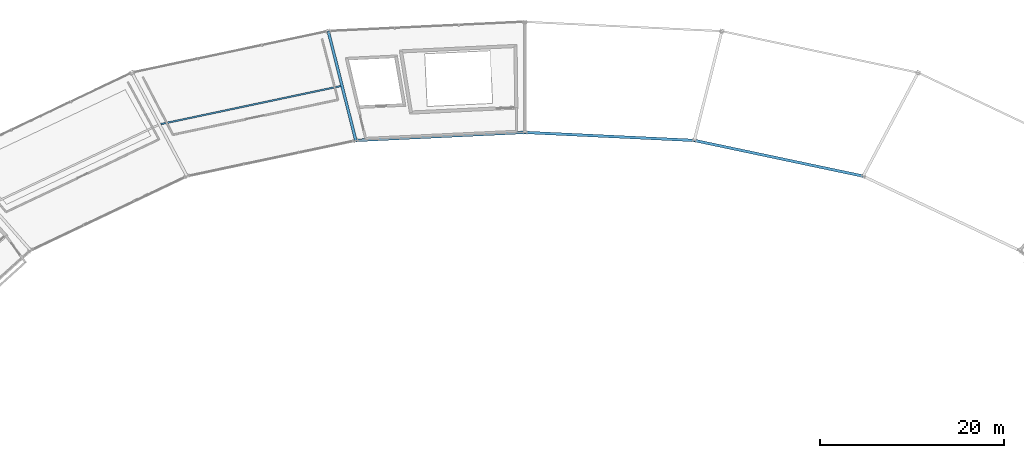
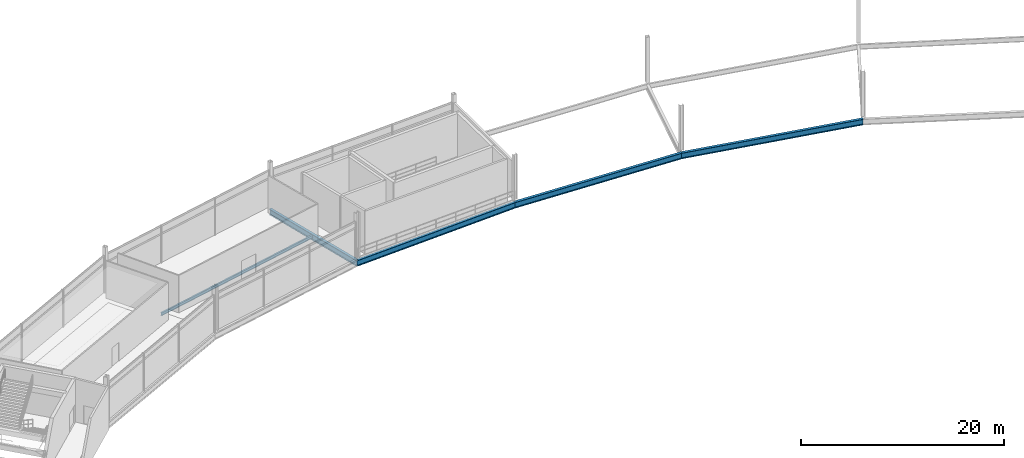
# One storey, part 58 of 86: 5 beams.
"""IFC4 building model written with IfcOpenShell, lengths in metres."""

from ifc_helpers import new_model, si_unit, direction, frame, origin, origin_2d, place, context, subcontext, project, spatial, i_section, extrude, material, material_profile, profile_set, type_object, element, save


model = new_model("IFC4")

# Units and contexts
model_context = context("Model", 3, precision=1e-05, world=origin(), true_north=direction((0.0, 1.0)))
body_context = subcontext(model_context, "Body", "Model", "MODEL_VIEW")
ifc_project = project(units=[si_unit("LENGTHUNIT", "METRE"), si_unit("AREAUNIT", "SQUARE_METRE"), si_unit("VOLUMEUNIT", "CUBIC_METRE"), si_unit("PLANEANGLEUNIT", "RADIAN"), si_unit("MASSUNIT", "GRAM", prefix="KILO")], contexts=[model_context])

# Site, building, storey
site_placement = place(None, origin())
site = spatial("IfcSite", under=ifc_project, at=site_placement, CompositionType="ELEMENT")
building_placement = place(site_placement, origin())
building = spatial("IfcBuilding", under=site, at=building_placement, Name="Kazemori Nagisa Stadium", CompositionType="ELEMENT")
storey_placement = place(building_placement, frame((0.0, 0.0, 31.280029296875)))
storey = spatial("IfcBuildingStorey", under=building, at=storey_placement, Name="L06", CompositionType="ELEMENT", Elevation=31.280029296875)

# Beams
ifc_material = material(Name="Steel SN490B", Category="steel")
ifc_material_profile_1 = material_profile(ifc_material, i_section(OverallWidth=0.300048828125, OverallDepth=0.699951171875, WebThickness=0.012939453125, FlangeThickness=0.02392578125, FilletRadius=0.01806640625, at=origin_2d()), Name="H-700x300x13x24")
ifc_profile_set_1 = profile_set([ifc_material_profile_1], Name="Steel SN490B")
beam_type_1 = type_object("IfcBeamType", Name="Beam_BG-H700", PredefinedType="BEAM", material=ifc_profile_set_1)
beam_1_placement = place(storey_placement, frame((159.81201171875, 171.19921875, -0.610107421875), z_axis=(-0.978345149833, 0.206980114499, 0.0), x_axis=(-0.206980114499, -0.978345149833, 0.0)))
element("IfcBeam", 1, at=beam_1_placement, inside=storey, type_object=beam_type_1, Name="Ring girder BG-H700 L06 R2-06", PredefinedType="BEAM", context=body_context, shape_type="SweptSolid", body=[
    extrude(i_section(OverallWidth=0.300048828125, OverallDepth=0.699951171875, WebThickness=0.012939453125, FlangeThickness=0.02392578125, FilletRadius=0.01806640625, at=origin_2d()), origin(), (0.0, 0.0, 1.0), 18.791259765625),
])
for number, where, z_axis, x_axis, name in (
    (2, (141.427734375, 175.088623046875, -0.610107421875), (-0.9988839804, 0.047231278829, 0.0), (-0.047231278829, -0.9988839804, 0.0), "Ring girder BG-H700 L06 R2-07"),
    (3, (123.0, 175.9599609375, -0.610107421875), (-0.9988839804, -0.047231278829, 0.0), (0.047231278829, -0.9988839804, 0.0), "Ring girder BG-H700 L06 R2-08"),
):
    element("IfcBeam", number, at=place(storey_placement, frame(where, z_axis=z_axis, x_axis=x_axis)), inside=storey, type_object=beam_type_1, Name=name, PredefinedType="BEAM", context=body_context, shape_type="SweptSolid", body=[
        extrude(i_section(OverallWidth=0.300048828125, OverallDepth=0.699951171875, WebThickness=0.012939453125, FlangeThickness=0.02392578125, FilletRadius=0.01806640625, at=origin_2d()), origin(), (0.0, 0.0, 1.0), 18.4482421875),
    ])
beam_2_placement = place(storey_placement, frame((104.572265625, 175.088623046875, -0.610107421875), z_axis=(-0.244487324834, 0.969652488263, 0.0), x_axis=(-0.969652488263, -0.244487324834, 0.0)))
element("IfcBeam", 4, at=beam_2_placement, inside=storey, type_object=beam_type_1, Name="Radial girder BG-H700 L06 R2-R3-09", PredefinedType="BEAM", context=body_context, shape_type="SweptSolid", body=[
    extrude(i_section(OverallWidth=0.300048828125, OverallDepth=0.699951171875, WebThickness=0.012939453125, FlangeThickness=0.02392578125, FilletRadius=0.01806640625, at=origin_2d()), origin(), (0.0, 0.0, 1.0), 12.2705078125),
])
ifc_material_profile_2 = material_profile(ifc_material, i_section(OverallWidth=0.175048828125, OverallDepth=0.35009765625, WebThickness=0.007080078125, FlangeThickness=0.010986328125, FilletRadius=0.012939453125, at=origin_2d()), Name="H-350x175x7x11")
ifc_profile_set_2 = profile_set([ifc_material_profile_2], Name="Steel SN490B")
beam_type_2 = type_object("IfcBeamType", Name="Beam_BJ-H350", PredefinedType="JOIST", material=ifc_profile_set_2)
beam_3_placement = place(storey_placement, frame((102.930419921875, 181.0078125, -0.43505859375), z_axis=(-0.978344719644, -0.20698214789, 0.0), x_axis=(0.20698214789, -0.978344719644, 0.0)))
element("IfcBeam", 5, at=beam_3_placement, inside=storey, type_object=beam_type_2, Name="Outer bay joist BJ-H350 L06 B09", PredefinedType="JOIST", context=body_context, shape_type="SweptSolid", body=[
    extrude(i_section(OverallWidth=0.175048828125, OverallDepth=0.35009765625, WebThickness=0.007080078125, FlangeThickness=0.010986328125, FilletRadius=0.012939453125, at=origin_2d()), origin(), (0.0, 0.0, 1.0), 20.03076171875),
])

save(model, "model.ifc")
